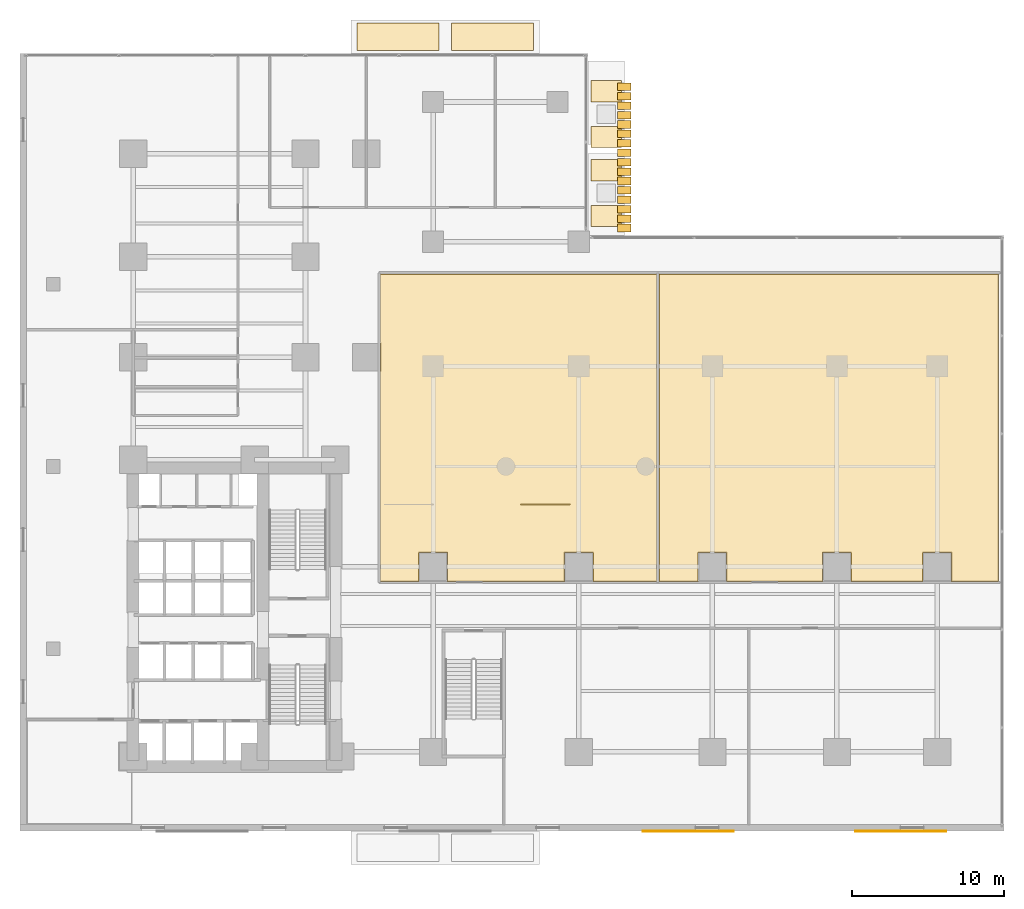
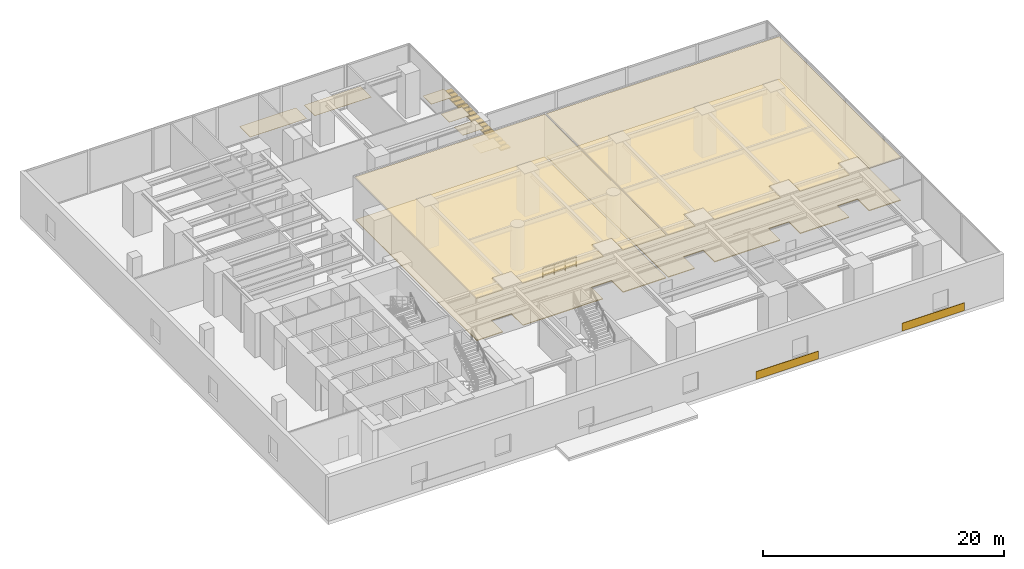
# One storey, part 17 of 17: 16 shading devices, 12 coverings, 1 railing.
"""IFC4 building model written with IfcOpenShell, lengths in metres."""

import ifcopenshell
import ifcopenshell.guid

model = None  # the IFC model being written
_history = None  # IfcOwnerHistory: only IFC2X3 demands one
_inside = {}  # id of a spatial element -> (the spatial element, [elements in it])
_under = {}  # id of a project, library or spatial element -> (it, [spatial elements below it])
_declared = {}  # id of a project -> (the project, [libraries it declares])
_typed = {}  # id of a type object -> (the type object, [elements of that type])
_made_of = {}  # id of a material, layer set ... -> (it, [elements and type objects made of it])


def new_model(schema):
    """Start an empty IFC model of exactly this schema.

    Asked for "IFC4X3", IfcOpenShell would pick the latest addendum, in which some entities
    have other attributes; the version numbers below select the first issue.
    IFC2X3 requires an IfcOwnerHistory on every rooted entity: one is made here for all.
    """
    global model, _history
    if schema == "IFC4X3":
        model = ifcopenshell.file(schema_version=(4, 3, 0, 0))
    else:
        model = ifcopenshell.file(schema=schema)
    _inside.clear()
    _under.clear()
    _declared.clear()
    _typed.clear()
    _made_of.clear()
    _history = None
    if model.schema == "IFC2X3":
        org = make("IfcOrganization", Name="unknown")
        user = make(
            "IfcPersonAndOrganization",
            ThePerson=make("IfcPerson", FamilyName="unknown"),
            TheOrganization=org,
        )
        app = make(
            "IfcApplication",
            ApplicationDeveloper=org,
            Version="unknown",
            ApplicationFullName="unknown",
            ApplicationIdentifier="unknown",
        )
        _history = make(
            "IfcOwnerHistory",
            OwningUser=user,
            OwningApplication=app,
            ChangeAction="ADDED",
            CreationDate=0,
        )
    return model


def make(cls, **values):
    """One entity of the class cls with the attributes given. An attribute that is None is left unset."""
    return model.create_entity(
        cls, **{name: value for name, value in values.items() if value is not None}
    )


def rooted(cls, **values):
    """An entity with a GlobalId (a new one), such as an element, a storey or a relation."""
    return make(cls, GlobalId=ifcopenshell.guid.new(), OwnerHistory=_history, **values)


def si_unit(unit_type, name, prefix=None):
    """IfcSIUnit, for example si_unit("LENGTHUNIT", "METRE", prefix="MILLI")."""
    return make("IfcSIUnit", UnitType=unit_type, Prefix=prefix, Name=name)


def assignment(units):
    """IfcUnitAssignment: the units of a project."""
    return None if units is None else make("IfcUnitAssignment", Units=units)


def point(xyz):
    """IfcCartesianPoint."""
    return None if xyz is None else make("IfcCartesianPoint", Coordinates=xyz)


def direction(xyz):
    """IfcDirection."""
    return None if xyz is None else make("IfcDirection", DirectionRatios=xyz)


def frame(location, z_axis=None, x_axis=None):
    """IfcAxis2Placement3D, a coordinate frame: its origin and axes. An axis left out is left unset."""
    return make(
        "IfcAxis2Placement3D",
        Location=point(location),
        Axis=direction(z_axis),
        RefDirection=direction(x_axis),
    )


def frame_2d(location, x_axis=None):
    """IfcAxis2Placement2D, a coordinate frame in the plane: its origin and x axis."""
    return make(
        "IfcAxis2Placement2D", Location=point(location), RefDirection=direction(x_axis)
    )


def origin():
    """The frame at (0, 0, 0) with its axes left unset."""
    return frame((0.0, 0.0, 0.0))


def origin_with_axes():
    """The frame at (0, 0, 0) with the z axis (0, 0, 1) and the x axis (1, 0, 0) written out."""
    return frame((0.0, 0.0, 0.0), z_axis=(0.0, 0.0, 1.0), x_axis=(1.0, 0.0, 0.0))


def origin_2d():
    """The frame at (0, 0) in the plane with its x axis left unset."""
    return frame_2d((0.0, 0.0))


def place(relative_to, where):
    """IfcLocalPlacement: puts the frame where relative to a parent placement (None: the world)."""
    return make(
        "IfcLocalPlacement", PlacementRelTo=relative_to, RelativePlacement=where
    )


def context(
    kind, dimensions, precision=None, world=None, true_north=None, identifier=None
):
    """IfcGeometricRepresentationContext, for example the 3D "Model" context."""
    return make(
        "IfcGeometricRepresentationContext",
        ContextIdentifier=identifier,
        ContextType=kind,
        CoordinateSpaceDimension=dimensions,
        Precision=precision,
        WorldCoordinateSystem=world,
        TrueNorth=true_north,
    )


def subcontext(parent, identifier, kind, view, scale=None):
    """IfcGeometricRepresentationSubContext, for example "Body" below "Model"."""
    return make(
        "IfcGeometricRepresentationSubContext",
        ContextIdentifier=identifier,
        ContextType=kind,
        ParentContext=parent,
        TargetScale=scale,
        TargetView=view,
    )


def project(units=None, contexts=None):
    """IfcProject with its units and contexts."""
    return rooted(
        "IfcProject",
        Name="project",
        RepresentationContexts=contexts,
        UnitsInContext=assignment(units),
    )


def spatial(cls, under=None, at=None, **own):
    """A site, building, storey or space (cls), placed at a placement, below another one or the project."""
    s = rooted(cls, ObjectPlacement=at, **own)
    if under is not None:
        _under.setdefault(under.id(), (under, []))[1].append(s)
    return s


def polyline(points):
    """IfcPolyline through the points."""
    return make("IfcPolyline", Points=[point(p) for p in points])


def profile(cls, at=None, kind="AREA", **sizes):
    """A parametric profile (cls). Its sizes go by their IFC names, for example OverallWidth=200.0."""
    return make(cls, ProfileType=kind, Position=at, **sizes)


def rectangle(**sizes):
    """IfcRectangleProfileDef."""
    return profile("IfcRectangleProfileDef", **sizes)


def circle(**sizes):
    """IfcCircleProfileDef."""
    return profile("IfcCircleProfileDef", **sizes)


def outline(outer, holes=None, kind="AREA"):
    """IfcArbitraryClosedProfileDef: a profile drawn as a closed curve; with holes, ...WithVoids."""
    if holes is None:
        return make("IfcArbitraryClosedProfileDef", ProfileType=kind, OuterCurve=outer)
    return make(
        "IfcArbitraryProfileDefWithVoids",
        ProfileType=kind,
        OuterCurve=outer,
        InnerCurves=holes,
    )


def extrude(swept, where, along, depth):
    """IfcExtrudedAreaSolid: the profile swept, set in the frame where, extruded along a direction by depth."""
    return make(
        "IfcExtrudedAreaSolid",
        SweptArea=swept,
        Position=where,
        ExtrudedDirection=direction(along),
        Depth=depth,
    )


def shape(context_of_items, identifier, shape_type, items):
    """IfcShapeRepresentation: the items that make up one representation, for example the "Body"."""
    return make(
        "IfcShapeRepresentation",
        ContextOfItems=context_of_items,
        RepresentationIdentifier=identifier,
        RepresentationType=shape_type,
        Items=items,
    )


def source(mapping_origin, context_of_items, identifier, shape_type, items):
    """IfcRepresentationMap: a shape defined once, which mapped items show again and again."""
    return make(
        "IfcRepresentationMap",
        MappingOrigin=mapping_origin,
        MappedRepresentation=shape(context_of_items, identifier, shape_type, items),
    )


def transform(
    local_origin,
    x_axis=None,
    y_axis=None,
    z_axis=None,
    scale=None,
    scale2=None,
    scale3=None,
    uniform=True,
):
    """IfcCartesianTransformationOperator3D, or its non-uniform kind. x_axis, y_axis, z_axis: its Axis1, 2, 3."""
    if uniform:
        return make(
            "IfcCartesianTransformationOperator3D",
            Axis1=direction(x_axis),
            Axis2=direction(y_axis),
            LocalOrigin=point(local_origin),
            Scale=scale,
            Axis3=direction(z_axis),
        )
    return make(
        "IfcCartesianTransformationOperator3DnonUniform",
        Axis1=direction(x_axis),
        Axis2=direction(y_axis),
        LocalOrigin=point(local_origin),
        Scale=scale,
        Axis3=direction(z_axis),
        Scale2=scale2,
        Scale3=scale3,
    )


def mapped(mapping_source, mapping_target):
    """IfcMappedItem: shows the shape of a source again, moved by a transform."""
    return make(
        "IfcMappedItem", MappingSource=mapping_source, MappingTarget=mapping_target
    )


def material(Name=None, Category=None):
    """IfcMaterial."""
    return make("IfcMaterial", Name=Name, Category=Category)


def layer(
    of_material, thickness, ventilated=None, Name=None, Category=None, Priority=None
):
    """IfcMaterialLayer: one layer of a wall or slab, of a material (None: an air gap)."""
    return make(
        "IfcMaterialLayer",
        Material=of_material,
        LayerThickness=thickness,
        IsVentilated=ventilated,
        Name=Name,
        Category=Category,
        Priority=Priority,
    )


def layer_set(layers, Name=None):
    """IfcMaterialLayerSet."""
    return make("IfcMaterialLayerSet", MaterialLayers=layers, LayerSetName=Name)


def made_of(thing, what):
    """Note that an element or type object is made of a material, layer set ...; save() writes the relation."""
    if what is not None:
        _made_of.setdefault(what.id(), (what, []))[1].append(thing)
    return thing


def type_object(cls, material=None, **own):
    """A type object (cls), such as IfcWallType, which elements share."""
    return made_of(rooted(cls, **own), material)


def element(
    cls,
    number,
    at=None,
    inside=None,
    cuts=None,
    type_object=None,
    material=None,
    context=None,
    identifier="Body",
    shape_type=None,
    held_by="IfcProductDefinitionShape",
    body=None,
    shapes=None,
    **own,
):
    """One element of the class cls, such as IfcWall. Its Tag is "e" and its number.

    at: its placement. inside: the storey or other place that contains it. cuts: it is an
    opening in that element (IfcRelVoidsElement). A single representation is given by context,
    identifier, shape_type and body (its items); several are given by shapes. held_by: the class
    of the entity that holds the representations. save() writes the other relations.
    """
    e = rooted(cls, Tag="e%d" % number, ObjectPlacement=at, **own)
    if body is not None:
        shapes = [shape(context, identifier, shape_type, body)]
    if shapes is not None:
        e.Representation = make(held_by, Representations=shapes)
    if inside is not None:
        _inside.setdefault(inside.id(), (inside, []))[1].append(e)
    if cuts is not None:
        rooted(
            "IfcRelVoidsElement", RelatingBuildingElement=cuts, RelatedOpeningElement=e
        )
    if type_object is not None:
        _typed.setdefault(type_object.id(), (type_object, []))[1].append(e)
    return made_of(e, material)


def aggregate(whole, parts):
    """IfcRelAggregates: a whole, such as a stair, and the parts it consists of."""
    return rooted("IfcRelAggregates", RelatingObject=whole, RelatedObjects=parts)


def save(model, path):
    """Write the relations noted so far, then the file.

    IfcRelAggregates (storeys below a building ...), IfcRelContainedInSpatialStructure (elements
    in a storey), IfcRelDefinesByType, IfcRelAssociatesMaterial and IfcRelDeclares: one each for
    every whole, place, type object, material and project.
    """
    for whole, parts in _under.values():
        aggregate(whole, parts)
    for where, things in _inside.values():
        rooted(
            "IfcRelContainedInSpatialStructure",
            RelatedElements=things,
            RelatingStructure=where,
        )
    for kind, things in _typed.values():
        rooted("IfcRelDefinesByType", RelatedObjects=things, RelatingType=kind)
    for what, things in _made_of.values():
        rooted("IfcRelAssociatesMaterial", RelatedObjects=things, RelatingMaterial=what)
    for by, libraries in _declared.values():
        rooted("IfcRelDeclares", RelatingContext=by, RelatedDefinitions=libraries)
    model.write(path)


model = new_model("IFC4")

# Units and contexts
model_context = context("Model", 3, precision=1e-05, world=origin(), true_north=direction((0.0, 1.0)))
body_context = subcontext(model_context, "Body", "Model", "MODEL_VIEW")
ifc_project = project(units=[si_unit("LENGTHUNIT", "METRE"), si_unit("AREAUNIT", "SQUARE_METRE"), si_unit("VOLUMEUNIT", "CUBIC_METRE"), si_unit("PLANEANGLEUNIT", "RADIAN"), si_unit("MASSUNIT", "GRAM", prefix="KILO")], contexts=[model_context])

# Site, building, storey
site_placement = place(None, origin())
site = spatial("IfcSite", under=ifc_project, at=site_placement, CompositionType="ELEMENT")
building_placement = place(site_placement, origin())
building = spatial("IfcBuilding", under=site, at=building_placement, Name="Kolvaren Waterfront Exchange", CompositionType="ELEMENT")
storey_placement = place(building_placement, frame((0.0, 0.0, 5.60009765625)))
storey = spatial("IfcBuildingStorey", under=building, at=storey_placement, Name="L02", CompositionType="ELEMENT", Elevation=5.60009765625)

# Railing
ifc_material_1 = material(Name="Anodised bronze aluminium and laminated glass", Category="aluminium")
railing_type = type_object("IfcRailingType", Name="ARC-BALUSTRADE-1150", PredefinedType="BALUSTRADE", material=ifc_material_1)
railing_placement = place(storey_placement, frame((33.0, 21.5, 0.0)))
element("IfcRailing", 1, at=railing_placement, inside=storey, type_object=railing_type, Name="L02 gallery balustrade 2", PredefinedType="BALUSTRADE", context=body_context, shape_type="SweptSolid", body=[
    extrude(circle(Radius=0.02392578125, at=origin_2d()), frame((0.0, 0.0, 1.1259765625), z_axis=(1.0, 0.0, 0.0), x_axis=(0.0, 1.0, 0.0)), (0.0, 0.0, 1.0), 3.199951171875),
    extrude(circle(Radius=0.01611328125, at=origin_2d()), frame((0.0, 0.0, 0.390869140625), z_axis=(1.0, 0.0, 0.0), x_axis=(0.0, 1.0, 0.0)), (0.0, 0.0, 1.0), 3.199951171875),
    extrude(circle(Radius=0.01611328125, at=origin_2d()), frame((0.0, 0.0, 0.7705078125), z_axis=(1.0, 0.0, 0.0), x_axis=(0.0, 1.0, 0.0)), (0.0, 0.0, 1.0), 3.199951171875),
    extrude(circle(Radius=0.02099609375, at=origin_2d()), origin(), (0.0, 0.0, 1.0), 1.101806640625),
    extrude(circle(Radius=0.02099609375, at=origin_2d()), frame((1.066650390625, 0.0, 0.0)), (0.0, 0.0, 1.0), 1.101806640625),
    extrude(circle(Radius=0.02099609375, at=origin_2d()), frame((2.13330078125, 0.0, 0.0)), (0.0, 0.0, 1.0), 1.101806640625),
    extrude(circle(Radius=0.02099609375, at=origin_2d()), frame((3.199951171875, 0.0, 0.0)), (0.0, 0.0, 1.0), 1.101806640625),
])

# Coverings
ifc_material_2 = material(Name="Perforated bronze acoustic ceiling panel", Category="aluminium")
ifc_layer_1 = layer(ifc_material_2, 0.054931640625, Name="Perforated bronze acoustic ceiling panel")
ifc_layer_set_1 = layer_set([ifc_layer_1], Name="Perforated bronze acoustic ceiling panel")
covering_type_1 = type_object("IfcCoveringType", Name="ARC-CEIL-BAFFLE-55", PredefinedType="CEILING", material=ifc_layer_set_1)
covering_1_placement = place(storey_placement, frame((0.0, 0.0, 4.31494140625)))
element("IfcCovering", 2, at=covering_1_placement, inside=storey, type_object=covering_type_1, Name="L02 acoustic suspended ceiling 2", PredefinedType="CEILING", context=body_context, shape_type="SweptSolid", body=[
    extrude(outline(polyline([(23.715087890625, 32.139892578125), (23.739990234375, 32.139892578125), (23.739990234375, 30.260009765625), (23.715087890625, 30.260009765625), (23.715087890625, 16.4150390625), (26.27490234375, 16.4150390625), (26.27490234375, 16.4599609375), (26.260009765625, 16.4599609375), (26.260009765625, 18.340087890625), (28.139892578125, 18.340087890625), (28.139892578125, 16.4599609375), (28.125, 16.4599609375), (28.125, 16.4150390625), (35.875, 16.4150390625), (35.875, 16.4599609375), (35.860107421875, 16.4599609375), (35.860107421875, 18.340087890625), (37.739990234375, 18.340087890625), (37.739990234375, 16.4599609375), (37.72509765625, 16.4599609375), (37.72509765625, 16.4150390625), (41.93505859375, 16.4150390625), (41.93505859375, 36.68505859375), (23.715087890625, 36.68505859375), (23.715087890625, 32.139892578125)])), origin(), (0.0, 0.0, 1.0), 0.054931640625),
])
covering_2_placement = place(storey_placement, frame((0.0, 0.0, 4.31494140625)))
element("IfcCovering", 3, at=covering_2_placement, inside=storey, type_object=covering_type_1, Name="L02 acoustic suspended ceiling 3", PredefinedType="CEILING", context=body_context, shape_type="SweptSolid", body=[
    extrude(outline(polyline([(64.43505859375, 16.4150390625), (64.43505859375, 36.68505859375), (42.06494140625, 36.68505859375), (42.06494140625, 16.4150390625), (44.675048828125, 16.4150390625), (44.675048828125, 16.4599609375), (44.659912109375, 16.4599609375), (44.659912109375, 18.340087890625), (46.5400390625, 18.340087890625), (46.5400390625, 16.4599609375), (46.52490234375, 16.4599609375), (46.52490234375, 16.4150390625), (52.875, 16.4150390625), (52.875, 16.4599609375), (52.860107421875, 16.4599609375), (52.860107421875, 18.340087890625), (54.739990234375, 18.340087890625), (54.739990234375, 16.4599609375), (54.72509765625, 16.4599609375), (54.72509765625, 16.4150390625), (59.47509765625, 16.4150390625), (59.47509765625, 16.4599609375), (59.4599609375, 16.4599609375), (59.4599609375, 18.340087890625), (61.340087890625, 18.340087890625), (61.340087890625, 16.4599609375), (61.324951171875, 16.4599609375), (61.324951171875, 16.4150390625), (64.43505859375, 16.4150390625)])), origin(), (0.0, 0.0, 1.0), 0.054931640625),
])
ifc_material_3 = material(Name="Honed grey-taupe granite stone", Category="masonry")
ifc_layer_2 = layer(ifc_material_3, 0.044921875, Name="Honed grey-taupe granite stone")
ifc_layer_set_2 = layer_set([ifc_layer_2], Name="Honed grey-taupe granite stone")
covering_type_2 = type_object("IfcCoveringType", Name="ARC-CLAD-GRANITE-45", PredefinedType="CLADDING", material=ifc_layer_set_2)
for number, where, z_axis, x_axis, name in (
    (4, (44.0, -0.02001953125, 0.0498046875), (0.0, 0.0, 1.0), (1.0, 0.0, 0.0), "L02 honed grey-taupe granite spandrel cladding S3"),
    (5, (58.0, -0.02001953125, 0.0498046875), (0.0, 0.0, 1.0), (1.0, 0.0, 0.0), "L02 honed grey-taupe granite spandrel cladding S4"),
):
    element("IfcCovering", number, at=place(storey_placement, frame(where, z_axis=z_axis, x_axis=x_axis)), inside=storey, type_object=covering_type_2, Name=name, PredefinedType="CLADDING", context=body_context, shape_type="SweptSolid", body=[
        extrude(rectangle(XDim=6.0, YDim=0.044921875, at=origin_2d()), origin(), (0.0, 0.0, 1.0), 0.800048828125),
    ])
ifc_material_4 = material(Name="Raised access steel-cementitious floor panel", Category="steel")
ifc_layer_3 = layer(ifc_material_4, 0.080078125, Name="Raised access steel-cementitious floor panel")
ifc_layer_set_3 = layer_set([ifc_layer_3], Name="Raised access steel-cementitious floor panel")
covering_type_3 = type_object("IfcCoveringType", Name="ARC-FLR-RAISED-80", PredefinedType="FLOORING", material=ifc_layer_set_3)
covering_3_placement = place(storey_placement, origin())
element("IfcCovering", 6, at=covering_3_placement, inside=storey, type_object=covering_type_3, Name="L02 floor finish 2", PredefinedType="FLOORING", context=body_context, shape_type="SweptSolid", body=[
    extrude(outline(polyline([(23.75, 30.239990234375), (23.75, 16.449951171875), (26.239990234375, 16.449951171875), (26.239990234375, 18.360107421875), (28.159912109375, 18.360107421875), (28.159912109375, 16.449951171875), (35.840087890625, 16.449951171875), (35.840087890625, 18.360107421875), (37.760009765625, 18.360107421875), (37.760009765625, 16.449951171875), (41.89990234375, 16.449951171875), (41.89990234375, 36.64990234375), (23.75, 36.64990234375), (23.75, 32.159912109375), (23.760009765625, 32.159912109375), (23.760009765625, 30.239990234375), (23.75, 30.239990234375)])), origin(), (0.0, 0.0, 1.0), 0.079833984375),
])
covering_4_placement = place(storey_placement, origin())
element("IfcCovering", 7, at=covering_4_placement, inside=storey, type_object=covering_type_3, Name="L02 floor finish 3", PredefinedType="FLOORING", context=body_context, shape_type="SweptSolid", body=[
    extrude(outline(polyline([(42.10009765625, 36.64990234375), (42.10009765625, 16.449951171875), (44.639892578125, 16.449951171875), (44.639892578125, 18.360107421875), (46.56005859375, 18.360107421875), (46.56005859375, 16.449951171875), (52.840087890625, 16.449951171875), (52.840087890625, 18.360107421875), (54.760009765625, 18.360107421875), (54.760009765625, 16.449951171875), (59.43994140625, 16.449951171875), (59.43994140625, 18.360107421875), (61.360107421875, 18.360107421875), (61.360107421875, 16.449951171875), (64.39990234375, 16.449951171875), (64.39990234375, 36.64990234375), (42.10009765625, 36.64990234375)])), origin(), (0.0, 0.0, 1.0), 0.079833984375),
])
ifc_material_5 = material(Name="Elastomeric EPDM waterproofing membrane")
ifc_layer_4 = layer(ifc_material_5, 0.02001953125, Name="Elastomeric EPDM waterproofing membrane")
ifc_layer_set_4 = layer_set([ifc_layer_4], Name="Elastomeric EPDM waterproofing membrane")
covering_type_4 = type_object("IfcCoveringType", Name="ARC-ROOF-MEMB-20", PredefinedType="ROOFING", material=ifc_layer_set_4)
covering_5_placement = place(storey_placement, origin())
element("IfcCovering", 8, at=covering_5_placement, inside=storey, type_object=covering_type_4, Name="L02 waterproof elastomeric roof membrane 3", PredefinedType="ROOFING", context=body_context, shape_type="SweptSolid", body=[
    extrude(outline(polyline([(22.199951171875, 51.39990234375), (27.60009765625, 51.39990234375), (27.60009765625, 53.199951171875), (22.199951171875, 53.199951171875), (22.199951171875, 51.39990234375)])), origin(), (0.0, 0.0, 1.0), 0.02001953125),
])
covering_6_placement = place(storey_placement, origin())
element("IfcCovering", 9, at=covering_6_placement, inside=storey, type_object=covering_type_4, Name="L02 waterproof elastomeric roof membrane 4", PredefinedType="ROOFING", context=body_context, shape_type="SweptSolid", body=[
    extrude(outline(polyline([(28.39990234375, 51.39990234375), (33.800048828125, 51.39990234375), (33.800048828125, 53.199951171875), (28.39990234375, 53.199951171875), (28.39990234375, 51.39990234375)])), origin(), (0.0, 0.0, 1.0), 0.02001953125),
])
covering_7_placement = place(storey_placement, origin())
element("IfcCovering", 10, at=covering_7_placement, inside=storey, type_object=covering_type_4, Name="L02 waterproof elastomeric roof membrane 5", PredefinedType="ROOFING", context=body_context, shape_type="SweptSolid", body=[
    extrude(outline(polyline([(37.60009765625, 39.800048828125), (39.60009765625, 39.800048828125), (39.60009765625, 41.199951171875), (37.60009765625, 41.199951171875), (37.60009765625, 39.800048828125)])), origin(), (0.0, 0.0, 1.0), 0.02001953125),
])
covering_8_placement = place(storey_placement, origin())
element("IfcCovering", 11, at=covering_8_placement, inside=storey, type_object=covering_type_4, Name="L02 waterproof elastomeric roof membrane 6", PredefinedType="ROOFING", context=body_context, shape_type="SweptSolid", body=[
    extrude(outline(polyline([(37.60009765625, 42.800048828125), (39.60009765625, 42.800048828125), (39.60009765625, 44.199951171875), (37.60009765625, 44.199951171875), (37.60009765625, 42.800048828125)])), origin(), (0.0, 0.0, 1.0), 0.02001953125),
])
covering_9_placement = place(storey_placement, origin())
element("IfcCovering", 12, at=covering_9_placement, inside=storey, type_object=covering_type_4, Name="L02 waterproof elastomeric roof membrane 7", PredefinedType="ROOFING", context=body_context, shape_type="SweptSolid", body=[
    extrude(outline(polyline([(37.60009765625, 45.0), (39.60009765625, 45.0), (39.60009765625, 46.39990234375), (37.60009765625, 46.39990234375), (37.60009765625, 45.0)])), origin(), (0.0, 0.0, 1.0), 0.02001953125),
])
covering_10_placement = place(storey_placement, origin())
element("IfcCovering", 13, at=covering_10_placement, inside=storey, type_object=covering_type_4, Name="L02 waterproof elastomeric roof membrane 8", PredefinedType="ROOFING", context=body_context, shape_type="SweptSolid", body=[
    extrude(outline(polyline([(37.60009765625, 48.0), (39.60009765625, 48.0), (39.60009765625, 49.39990234375), (37.60009765625, 49.39990234375), (37.60009765625, 48.0)])), origin(), (0.0, 0.0, 1.0), 0.02001953125),
])

# Shading devices
ifc_material_6 = material(Name="Anodised bronze aluminium 6063-T6", Category="aluminium")
shading_device_type = type_object("IfcShadingDeviceType", Name="ARC-SHD-SUNSHADE", PredefinedType="USERDEFINED", material=ifc_material_6)
shared_shape = source(origin_with_axes(), body_context, "Body", "SweptSolid", [
    extrude(rectangle(XDim=0.89990234375, YDim=0.5, at=origin_2d()), origin(), (0.0, 0.0, 1.0), 0.1201171875),
])
for number, where, z_axis, x_axis, name in (
    (14, (39.800048828125, 39.699951171875, -0.16015625), (0.0, 0.0, 1.0), (1.0, 0.0, 0.0), "L02 waterfront canopy horizontal bronze sunshade 1"),
    (15, (39.800048828125, 40.320068359375, -0.16015625), (0.0, 0.0, 1.0), (1.0, 0.0, 0.0), "L02 waterfront canopy horizontal bronze sunshade 2"),
    (16, (39.800048828125, 40.93994140625, -0.16015625), (0.0, 0.0, 1.0), (1.0, 0.0, 0.0), "L02 waterfront canopy horizontal bronze sunshade 3"),
    (17, (39.800048828125, 41.56005859375, -0.16015625), (0.0, 0.0, 1.0), (1.0, 0.0, 0.0), "L02 waterfront canopy horizontal bronze sunshade 4"),
    (18, (39.800048828125, 42.179931640625, -0.16015625), (0.0, 0.0, 1.0), (1.0, 0.0, 0.0), "L02 waterfront canopy horizontal bronze sunshade 5"),
    (19, (39.800048828125, 42.800048828125, -0.16015625), (0.0, 0.0, 1.0), (1.0, 0.0, 0.0), "L02 waterfront canopy horizontal bronze sunshade 6"),
    (20, (39.800048828125, 43.419921875, -0.16015625), (0.0, 0.0, 1.0), (1.0, 0.0, 0.0), "L02 waterfront canopy horizontal bronze sunshade 7"),
    (21, (39.800048828125, 44.0400390625, -0.16015625), (0.0, 0.0, 1.0), (1.0, 0.0, 0.0), "L02 waterfront canopy horizontal bronze sunshade 8"),
    (22, (39.800048828125, 44.659912109375, -0.16015625), (0.0, 0.0, 1.0), (1.0, 0.0, 0.0), "L02 waterfront canopy horizontal bronze sunshade 9"),
    (23, (39.800048828125, 45.280029296875, -0.16015625), (0.0, 0.0, 1.0), (1.0, 0.0, 0.0), "L02 waterfront canopy horizontal bronze sunshade 10"),
    (24, (39.800048828125, 45.89990234375, -0.16015625), (0.0, 0.0, 1.0), (1.0, 0.0, 0.0), "L02 waterfront canopy horizontal bronze sunshade 11"),
    (25, (39.800048828125, 46.52001953125, -0.16015625), (0.0, 0.0, 1.0), (1.0, 0.0, 0.0), "L02 waterfront canopy horizontal bronze sunshade 12"),
    (26, (39.800048828125, 47.139892578125, -0.16015625), (0.0, 0.0, 1.0), (1.0, 0.0, 0.0), "L02 waterfront canopy horizontal bronze sunshade 13"),
    (27, (39.800048828125, 47.760009765625, -0.16015625), (0.0, 0.0, 1.0), (1.0, 0.0, 0.0), "L02 waterfront canopy horizontal bronze sunshade 14"),
    (28, (39.800048828125, 48.3798828125, -0.16015625), (0.0, 0.0, 1.0), (1.0, 0.0, 0.0), "L02 waterfront canopy horizontal bronze sunshade 15"),
    (29, (39.800048828125, 49.0, -0.16015625), (0.0, 0.0, 1.0), (1.0, 0.0, 0.0), "L02 waterfront canopy horizontal bronze sunshade 16"),
):
    element("IfcShadingDevice", number, at=place(storey_placement, frame(where, z_axis=z_axis, x_axis=x_axis)), inside=storey, type_object=shading_device_type, Name=name, ObjectType="SUNSHADE", PredefinedType="USERDEFINED", context=body_context, shape_type="MappedRepresentation", body=[
        mapped(shared_shape, transform((0.0, 0.0, 0.0), x_axis=(1.0, 0.0, 0.0), y_axis=(0.0, 1.0, 0.0), z_axis=(0.0, 0.0, 1.0), scale=1.0)),
    ])

save(model, "model.ifc")
